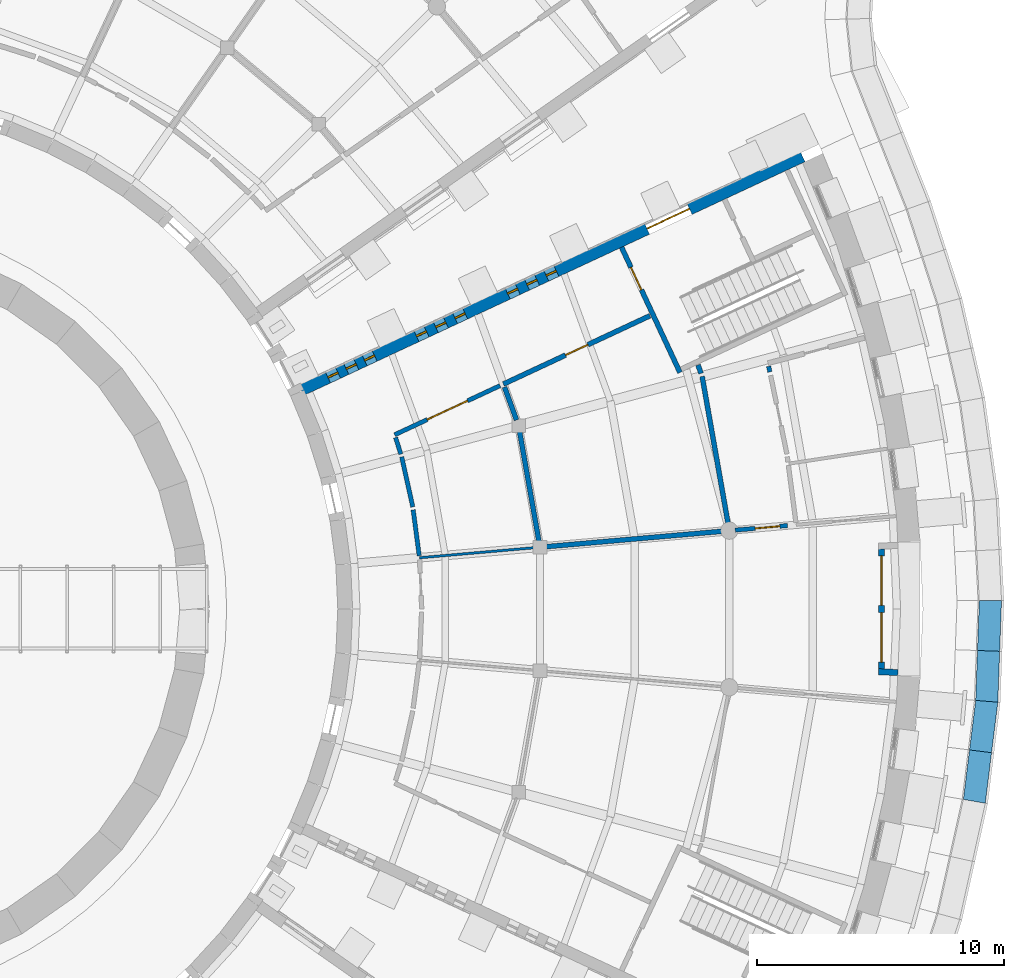
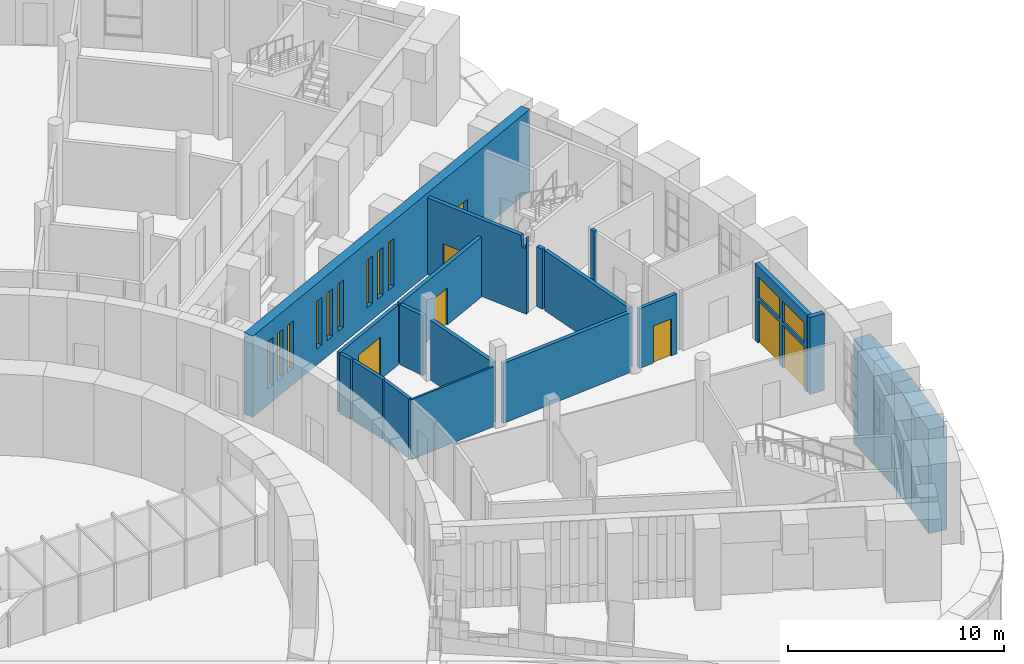
# One storey, part 54 of 85: 21 walls, 11 windows, 7 doors, 18 openings.
"""IFC4 building model written with IfcOpenShell, lengths in metres."""

from ifc_helpers import new_model, si_unit, direction, frame, frame_2d, origin, place, context, subcontext, project, spatial, polyline, rectangle, outline, extrude, material, layer, layer_set, type_object, element, fill, save


model = new_model("IFC4")

# Units and contexts
model_context = context("Model", 3, precision=1e-05, world=origin(), true_north=direction((0.0, 1.0)))
body_context = subcontext(model_context, "Body", "Model", "MODEL_VIEW")
ifc_project = project(units=[si_unit("LENGTHUNIT", "METRE"), si_unit("AREAUNIT", "SQUARE_METRE"), si_unit("VOLUMEUNIT", "CUBIC_METRE"), si_unit("PLANEANGLEUNIT", "RADIAN"), si_unit("MASSUNIT", "GRAM", prefix="KILO")], contexts=[model_context])

# Site, building, storey
site_placement = place(None, origin())
site = spatial("IfcSite", under=ifc_project, at=site_placement, CompositionType="ELEMENT")
building_placement = place(site_placement, origin())
building = spatial("IfcBuilding", under=site, at=building_placement, Name="Volute Hill Aquarium", CompositionType="ELEMENT")
storey_placement = place(building_placement, origin())
storey = spatial("IfcBuildingStorey", under=building, at=storey_placement, Name="L01", CompositionType="ELEMENT", Elevation=0.0)

# Wall, opening, door
ifc_material_1 = material(Name="Concrete C30/37", Category="concrete")
ifc_layer_1 = layer(ifc_material_1, 0.199951171875)
ifc_layer_set_1 = layer_set([ifc_layer_1], Name="Core wall 200 REI 60")
wall_type_1 = type_object("IfcWallType", Name="Core wall 200 REI 60", PredefinedType="SHEAR", material=ifc_layer_set_1)
wall_1_placement = place(storey_placement, frame((31.89599609375, 14.652587890625, 0.0), z_axis=(0.0, 0.0, 1.0), x_axis=(0.422632457081, -0.906301167505, 0.0)))
wall_1 = element("IfcWall", 1, at=wall_1_placement, inside=storey, type_object=wall_type_1, Name="wc/S4-B/L01/in", PredefinedType="SHEAR", context=body_context, shape_type="SweptSolid", body=[
    extrude(outline(polyline([(0.0, 0.0), (5.599853515625, 0.0), (5.60009765625, 4.35009765625), (5.550048828125, 3.7099609375), (5.35009765625, 3.7099609375), (5.300048828125, 4.35009765625), (0.0, 4.35009765625), (0.0, 0.0)])), frame((0.0, 0.10009765625, 0.0), z_axis=(0.0, -1.0, 0.0), x_axis=(1.0, 0.0, 0.0)), (0.0, 0.0, 1.0), 0.199951171875),
])
opening_1_placement = place(wall_1_placement, frame((0.89990234375, 0.0, 0.0)))
opening_1 = element("IfcOpeningElement", 2, at=opening_1_placement, cuts=wall_1, Name="Opening D4.01.BS", PredefinedType="OPENING", context=body_context, shape_type="SweptSolid", body=[
    extrude(rectangle(XDim=1.0, YDim=2.10009765625, at=frame_2d((0.5, 1.050048828125))), frame((0.0, 0.10986328125, 0.0), z_axis=(0.0, -1.0, 0.0), x_axis=(1.0, 0.0, 0.0)), (0.0, 0.0, 1.0), 0.219970703125),
])
ifc_material_2 = material(Name="Timber, fire-rated", Category="wood")
door_type_1 = type_object("IfcDoorType", Name="Door 1000 x 2100 single EI1 30", OperationType="SINGLE_SWING_LEFT", PredefinedType="DOOR", material=ifc_material_2)
door_1_placement = place(opening_1_placement, origin())
door_1 = element("IfcDoor", 3, at=door_1_placement, inside=storey, type_object=door_type_1, Name="d/S4-B/L01/st", OperationType="SINGLE_SWING_RIGHT", OverallHeight=2.10009765625, OverallWidth=1.0, PredefinedType="DOOR", context=body_context, shape_type="SweptSolid", body=[
    extrude(rectangle(XDim=1.0, YDim=2.10009765625, at=frame_2d((0.5, 1.050048828125))), frame((0.0, 0.02490234375, 0.0), z_axis=(0.0, -1.0, 0.0), x_axis=(1.0, 0.0, 0.0)), (0.0, 0.0, 1.0), 0.050048828125),
])
fill(opening_1, door_1)

ifc_material_3 = material(Name="Gypsum board on steel studs", Category="steel")
ifc_layer_2 = layer(ifc_material_3, 0.175048828125)
ifc_layer_set_2 = layer_set([ifc_layer_2], Name="Corridor partition 175 EI 60")
wall_type_2 = type_object("IfcWallType", Name="Corridor partition 175 EI 60", PredefinedType="PARTITIONING", material=ifc_layer_set_2)
wall_2_placement = place(storey_placement, frame((26.9736328125, 9.04736328125, 0.0), z_axis=(0.0, 0.0, 1.0), x_axis=(-0.906308936169, -0.422615797409, 0.0)))
wall_2 = element("IfcWall", 4, at=wall_2_placement, inside=storey, type_object=wall_type_2, Name="pw/S4/L01/008", PredefinedType="PARTITIONING", context=body_context, shape_type="SweptSolid", body=[
    extrude(rectangle(XDim=4.708740234375, YDim=0.175048828125, at=frame_2d((2.3544921875, 0.0))), origin(), (0.0, 0.0, 1.0), 3.389892578125),
])
opening_2_placement = place(wall_2_placement, frame((1.454345703125, 0.0, 0.0)))
opening_2 = element("IfcOpeningElement", 5, at=opening_2_placement, cuts=wall_2, Name="Opening D4.01.04", PredefinedType="OPENING", context=body_context, shape_type="SweptSolid", body=[
    extrude(rectangle(XDim=1.800048828125, YDim=2.39990234375, at=frame_2d((0.89990234375, 1.199951171875))), frame((0.0, 0.097412109375, 0.0), z_axis=(0.0, -1.0, 0.0), x_axis=(1.0, 0.0, 0.0)), (0.0, 0.0, 1.0), 0.195068359375),
])
ifc_material_4 = material(Name="Timber, fire-rated", Category="wood")
door_type_2 = type_object("IfcDoorType", Name="Door 1800 x 2400 gallery double EI1 30", OperationType="DOUBLE_DOOR_SINGLE_SWING", PredefinedType="DOOR", material=ifc_material_4)
door_2_placement = place(opening_2_placement, origin())
door_2 = element("IfcDoor", 6, at=door_2_placement, inside=storey, type_object=door_type_2, Name="d/S4/L01/04", OperationType="SINGLE_SWING_LEFT", OverallHeight=2.39990234375, OverallWidth=1.800048828125, PredefinedType="DOOR", context=body_context, shape_type="SweptSolid", body=[
    extrude(rectangle(XDim=1.800048828125, YDim=2.39990234375, at=frame_2d((0.89990234375, 1.199951171875))), frame((0.0, 0.02490234375, 0.0), z_axis=(0.0, -1.0, 0.0), x_axis=(1.0, 0.0, 0.0)), (0.0, 0.0, 1.0), 0.050048828125),
])
fill(opening_2, door_2)

wall_3_placement = place(storey_placement, frame((36.50048828125, 3.193359375, 0.0), z_axis=(0.0, 0.0, 1.0), x_axis=(0.996191351034, 0.087193991338, 0.0)))
wall_3 = element("IfcWall", 7, at=wall_3_placement, inside=storey, type_object=wall_type_2, Name="pw/S4/L01/020", PredefinedType="PARTITIONING", context=body_context, shape_type="SweptSolid", body=[
    extrude(rectangle(XDim=2.1279296875, YDim=0.175048828125, at=frame_2d((1.06396484375, 0.0))), origin(), (0.0, 0.0, 1.0), 3.389892578125),
])
opening_3_placement = place(wall_3_placement, frame((0.81396484375, 0.0, 0.0)))
opening_3 = element("IfcOpeningElement", 8, at=opening_3_placement, cuts=wall_3, Name="Opening D4.01.07", PredefinedType="OPENING", context=body_context, shape_type="SweptSolid", body=[
    extrude(rectangle(XDim=1.0, YDim=2.10009765625, at=frame_2d((0.5, 1.050048828125))), frame((0.0, 0.097412109375, 0.0), z_axis=(0.0, -1.0, 0.0), x_axis=(1.0, 0.0, 0.0)), (0.0, 0.0, 1.0), 0.195068359375),
])
door_3_placement = place(opening_3_placement, origin())
door_3 = element("IfcDoor", 9, at=door_3_placement, inside=storey, type_object=door_type_1, Name="d/S4/L01/07", OperationType="SINGLE_SWING_LEFT", OverallHeight=2.10009765625, OverallWidth=1.0, PredefinedType="DOOR", context=body_context, shape_type="SweptSolid", body=[
    extrude(rectangle(XDim=1.0, YDim=2.10009765625, at=frame_2d((0.5, 1.050048828125))), frame((0.0, 0.02490234375, 0.0), z_axis=(0.0, -1.0, 0.0), x_axis=(1.0, 0.0, 0.0)), (0.0, 0.0, 1.0), 0.050048828125),
])
fill(opening_3, door_3)

# Walls
wall_4_placement = place(storey_placement, frame((22.989013671875, 6.159912109375, 0.0), z_axis=(0.0, 0.0, 1.0), x_axis=(0.216469786072, -0.97628931763, 0.0)))
element("IfcWall", 10, at=wall_4_placement, inside=storey, type_object=wall_type_2, Name="pw/S4/L01/021", PredefinedType="PARTITIONING", context=body_context, shape_type="SweptSolid", body=[
    extrude(rectangle(XDim=2.076416015625, YDim=0.175048828125, at=frame_2d((1.0380859375, 0.0))), origin(), (0.0, 0.0, 1.0), 3.389892578125),
])
wall_5_placement = place(storey_placement, frame((23.45361328125, 4.016357421875, 0.0), z_axis=(0.0, 0.0, 1.0), x_axis=(0.130588961803, -0.99143659558, 0.0)))
element("IfcWall", 11, at=wall_5_placement, inside=storey, type_object=wall_type_2, Name="pw/S4/L01/025", PredefinedType="PARTITIONING", context=body_context, shape_type="SweptSolid", body=[
    extrude(rectangle(XDim=1.87890625, YDim=0.175048828125, at=frame_2d((0.939453125, 0.0))), origin(), (0.0, 0.0, 1.0), 3.389892578125),
])
wall_6_placement = place(storey_placement, frame((22.741455078125, 6.9453125, 0.0), z_axis=(0.0, 0.0, 1.0), x_axis=(0.300518931654, -0.953775849829, 0.0)))
element("IfcWall", 12, at=wall_6_placement, inside=storey, type_object=wall_type_2, Name="pw/S4/L01/029", PredefinedType="PARTITIONING", context=body_context, shape_type="SweptSolid", body=[
    extrude(rectangle(XDim=0.7060546875, YDim=0.175048828125, at=frame_2d((0.35302734375, 0.0))), origin(), (0.0, 0.0, 1.0), 3.389892578125),
])
wall_7_placement = place(storey_placement, frame((37.852294921875, 9.8310546875, 0.0), z_axis=(0.0, 0.0, 1.0), x_axis=(0.215936265347, -0.976407460699, 0.0)))
element("IfcWall", 13, at=wall_7_placement, inside=storey, type_object=wall_type_2, Name="pw/S4/L01/031", PredefinedType="PARTITIONING", context=body_context, shape_type="SweptSolid", body=[
    extrude(rectangle(XDim=0.234130859375, YDim=0.175048828125, at=frame_2d((0.1171875, 0.0))), origin(), (0.0, 0.0, 1.0), 3.389892578125),
])

# Wall, openings, door, windows
ifc_material_5 = material(Name="Concrete C35/45", Category="concrete")
ifc_layer_3 = layer(ifc_material_5, 0.5)
ifc_layer_set_3 = layer_set([ifc_layer_3], Name="End wall 500 C35/45")
wall_type_3 = type_object("IfcWallType", Name="End wall 500 C35/45", PredefinedType="SHEAR", material=ifc_layer_set_3)
wall_8_placement = place(storey_placement, frame((18.920654296875, 8.8779296875, 0.0), z_axis=(0.0, 0.0, 1.0), x_axis=(0.906305061028, 0.422624107637, 0.0)))
wall_8 = element("IfcWall", 14, at=wall_8_placement, inside=storey, type_object=wall_type_3, Name="sw/S4/L01/endB", PredefinedType="SHEAR", context=body_context, shape_type="SweptSolid", body=[
    extrude(rectangle(XDim=22.400146484375, YDim=0.5, at=frame_2d((11.2001953125, 0.0))), origin(), (0.0, 0.0, 1.0), 4.60009765625),
])
opening_4_placement = place(wall_8_placement, frame((1.190185546875, 0.0, 0.89990234375)))
opening_4 = element("IfcOpeningElement", 15, at=opening_4_placement, cuts=wall_8, Name="Opening W12", PredefinedType="OPENING", context=body_context, shape_type="SweptSolid", body=[
    extrude(rectangle(XDim=0.449951171875, YDim=2.699951171875, at=frame_2d((0.22509765625, 1.35009765625))), frame((0.0, 0.260009765625, 0.0), z_axis=(0.0, -1.0, 0.0), x_axis=(1.0, 0.0, 0.0)), (0.0, 0.0, 1.0), 0.52001953125),
])
opening_5_placement = place(wall_8_placement, frame((2.008056640625, 0.0, 0.89990234375)))
opening_5 = element("IfcOpeningElement", 16, at=opening_5_placement, cuts=wall_8, Name="Opening W12", PredefinedType="OPENING", context=body_context, shape_type="SweptSolid", body=[
    extrude(rectangle(XDim=0.449951171875, YDim=2.699951171875, at=frame_2d((0.22509765625, 1.35009765625))), frame((0.0, 0.260009765625, 0.0), z_axis=(0.0, -1.0, 0.0), x_axis=(1.0, 0.0, 0.0)), (0.0, 0.0, 1.0), 0.52001953125),
])
opening_6_placement = place(wall_8_placement, frame((2.82568359375, 0.0, 0.89990234375)))
opening_6 = element("IfcOpeningElement", 17, at=opening_6_placement, cuts=wall_8, Name="Opening W12", PredefinedType="OPENING", context=body_context, shape_type="SweptSolid", body=[
    extrude(rectangle(XDim=0.449951171875, YDim=2.699951171875, at=frame_2d((0.22509765625, 1.35009765625))), frame((0.0, 0.260009765625, 0.0), z_axis=(0.0, -1.0, 0.0), x_axis=(1.0, 0.0, 0.0)), (0.0, 0.0, 1.0), 0.52001953125),
])
opening_7_placement = place(wall_8_placement, frame((5.146240234375, 0.0, 0.89990234375)))
opening_7 = element("IfcOpeningElement", 18, at=opening_7_placement, cuts=wall_8, Name="Opening W12", PredefinedType="OPENING", context=body_context, shape_type="SweptSolid", body=[
    extrude(rectangle(XDim=0.449951171875, YDim=2.699951171875, at=frame_2d((0.22509765625, 1.35009765625))), frame((0.0, 0.260009765625, 0.0), z_axis=(0.0, -1.0, 0.0), x_axis=(1.0, 0.0, 0.0)), (0.0, 0.0, 1.0), 0.52001953125),
])
opening_8_placement = place(wall_8_placement, frame((6.009033203125, 0.0, 0.89990234375)))
opening_8 = element("IfcOpeningElement", 19, at=opening_8_placement, cuts=wall_8, Name="Opening W12", PredefinedType="OPENING", context=body_context, shape_type="SweptSolid", body=[
    extrude(rectangle(XDim=0.449951171875, YDim=2.699951171875, at=frame_2d((0.22509765625, 1.35009765625))), frame((0.0, 0.260009765625, 0.0), z_axis=(0.0, -1.0, 0.0), x_axis=(1.0, 0.0, 0.0)), (0.0, 0.0, 1.0), 0.52001953125),
])
opening_9_placement = place(wall_8_placement, frame((6.871826171875, 0.0, 0.89990234375)))
opening_9 = element("IfcOpeningElement", 20, at=opening_9_placement, cuts=wall_8, Name="Opening W12", PredefinedType="OPENING", context=body_context, shape_type="SweptSolid", body=[
    extrude(rectangle(XDim=0.449951171875, YDim=2.699951171875, at=frame_2d((0.22509765625, 1.35009765625))), frame((0.0, 0.260009765625, 0.0), z_axis=(0.0, -1.0, 0.0), x_axis=(1.0, 0.0, 0.0)), (0.0, 0.0, 1.0), 0.52001953125),
])
opening_10_placement = place(wall_8_placement, frame((9.22216796875, 0.0, 0.89990234375)))
opening_10 = element("IfcOpeningElement", 21, at=opening_10_placement, cuts=wall_8, Name="Opening W12", PredefinedType="OPENING", context=body_context, shape_type="SweptSolid", body=[
    extrude(rectangle(XDim=0.449951171875, YDim=2.699951171875, at=frame_2d((0.22509765625, 1.35009765625))), frame((0.0, 0.260009765625, 0.0), z_axis=(0.0, -1.0, 0.0), x_axis=(1.0, 0.0, 0.0)), (0.0, 0.0, 1.0), 0.52001953125),
])
opening_11_placement = place(wall_8_placement, frame((10.0849609375, 0.0, 0.89990234375)))
opening_11 = element("IfcOpeningElement", 22, at=opening_11_placement, cuts=wall_8, Name="Opening W12", PredefinedType="OPENING", context=body_context, shape_type="SweptSolid", body=[
    extrude(rectangle(XDim=0.449951171875, YDim=2.699951171875, at=frame_2d((0.22509765625, 1.35009765625))), frame((0.0, 0.260009765625, 0.0), z_axis=(0.0, -1.0, 0.0), x_axis=(1.0, 0.0, 0.0)), (0.0, 0.0, 1.0), 0.52001953125),
])
opening_12_placement = place(wall_8_placement, frame((10.94775390625, 0.0, 0.89990234375)))
opening_12 = element("IfcOpeningElement", 23, at=opening_12_placement, cuts=wall_8, Name="Opening W12", PredefinedType="OPENING", context=body_context, shape_type="SweptSolid", body=[
    extrude(rectangle(XDim=0.449951171875, YDim=2.699951171875, at=frame_2d((0.22509765625, 1.35009765625))), frame((0.0, 0.260009765625, 0.0), z_axis=(0.0, -1.0, 0.0), x_axis=(1.0, 0.0, 0.0)), (0.0, 0.0, 1.0), 0.52001953125),
])
opening_13_placement = place(wall_8_placement, frame((15.449951171875, 0.0, 0.0)))
opening_13 = element("IfcOpeningElement", 24, at=opening_13_placement, cuts=wall_8, Name="Opening D4.01.BX", PredefinedType="OPENING", context=body_context, shape_type="SweptSolid", body=[
    extrude(rectangle(XDim=1.89990234375, YDim=2.39990234375, at=frame_2d((0.949951171875, 1.199951171875))), frame((0.0, 0.260009765625, 0.0), z_axis=(0.0, -1.0, 0.0), x_axis=(1.0, 0.0, 0.0)), (0.0, 0.0, 1.0), 0.52001953125),
])
ifc_material_6 = material(Name="Steel, fire-rated", Category="steel")
door_type_3 = type_object("IfcDoorType", Name="Door 1900 x 2400 stair exit double EI1 30", OperationType="DOUBLE_DOOR_SINGLE_SWING", PredefinedType="DOOR", material=ifc_material_6)
door_4_placement = place(opening_13_placement, origin())
door_4 = element("IfcDoor", 25, at=door_4_placement, inside=storey, type_object=door_type_3, Name="d/S4-B/L01/ex", OperationType="SINGLE_SWING_LEFT", OverallHeight=2.39990234375, OverallWidth=1.89990234375, PredefinedType="DOOR", context=body_context, shape_type="SweptSolid", body=[
    extrude(rectangle(XDim=1.89990234375, YDim=2.39990234375, at=frame_2d((0.949951171875, 1.199951171875))), frame((0.0, 0.02490234375, 0.0), z_axis=(0.0, -1.0, 0.0), x_axis=(1.0, 0.0, 0.0)), (0.0, 0.0, 1.0), 0.050048828125),
])
fill(opening_13, door_4)
ifc_material_7 = material(Name="Aluminium and glass", Category="aluminium")
window_type_1 = type_object("IfcWindowType", Name="End wall window 450x2700", PartitioningType="SINGLE_PANEL", PredefinedType="WINDOW", material=ifc_material_7)
window_1_placement = place(opening_4_placement, origin())
window_1 = element("IfcWindow", 26, at=window_1_placement, inside=storey, type_object=window_type_1, Name="End wall window S4B L01 1.1", OverallHeight=2.699951171875, OverallWidth=0.449951171875, PartitioningType="SINGLE_PANEL", PredefinedType="WINDOW", context=body_context, shape_type="SweptSolid", body=[
    extrude(rectangle(XDim=0.449951171875, YDim=2.699951171875, at=frame_2d((0.22509765625, 1.35009765625))), frame((0.0, 0.030029296875, 0.0), z_axis=(0.0, -1.0, 0.0), x_axis=(1.0, 0.0, 0.0)), (0.0, 0.0, 1.0), 0.06005859375),
])
fill(opening_4, window_1)
window_2_placement = place(opening_5_placement, origin())
window_2 = element("IfcWindow", 27, at=window_2_placement, inside=storey, type_object=window_type_1, Name="End wall window S4B L01 1.2", OverallHeight=2.699951171875, OverallWidth=0.449951171875, PartitioningType="SINGLE_PANEL", PredefinedType="WINDOW", context=body_context, shape_type="SweptSolid", body=[
    extrude(rectangle(XDim=0.449951171875, YDim=2.699951171875, at=frame_2d((0.22509765625, 1.35009765625))), frame((0.0, 0.030029296875, 0.0), z_axis=(0.0, -1.0, 0.0), x_axis=(1.0, 0.0, 0.0)), (0.0, 0.0, 1.0), 0.06005859375),
])
fill(opening_5, window_2)
window_3_placement = place(opening_6_placement, origin())
window_3 = element("IfcWindow", 28, at=window_3_placement, inside=storey, type_object=window_type_1, Name="End wall window S4B L01 1.3", OverallHeight=2.699951171875, OverallWidth=0.449951171875, PartitioningType="SINGLE_PANEL", PredefinedType="WINDOW", context=body_context, shape_type="SweptSolid", body=[
    extrude(rectangle(XDim=0.449951171875, YDim=2.699951171875, at=frame_2d((0.22509765625, 1.35009765625))), frame((0.0, 0.030029296875, 0.0), z_axis=(0.0, -1.0, 0.0), x_axis=(1.0, 0.0, 0.0)), (0.0, 0.0, 1.0), 0.06005859375),
])
fill(opening_6, window_3)
window_4_placement = place(opening_7_placement, origin())
window_4 = element("IfcWindow", 29, at=window_4_placement, inside=storey, type_object=window_type_1, Name="End wall window S4B L01 2.1", OverallHeight=2.699951171875, OverallWidth=0.449951171875, PartitioningType="SINGLE_PANEL", PredefinedType="WINDOW", context=body_context, shape_type="SweptSolid", body=[
    extrude(rectangle(XDim=0.449951171875, YDim=2.699951171875, at=frame_2d((0.22509765625, 1.35009765625))), frame((0.0, 0.030029296875, 0.0), z_axis=(0.0, -1.0, 0.0), x_axis=(1.0, 0.0, 0.0)), (0.0, 0.0, 1.0), 0.06005859375),
])
fill(opening_7, window_4)
window_5_placement = place(opening_8_placement, origin())
window_5 = element("IfcWindow", 30, at=window_5_placement, inside=storey, type_object=window_type_1, Name="End wall window S4B L01 2.2", OverallHeight=2.699951171875, OverallWidth=0.449951171875, PartitioningType="SINGLE_PANEL", PredefinedType="WINDOW", context=body_context, shape_type="SweptSolid", body=[
    extrude(rectangle(XDim=0.449951171875, YDim=2.699951171875, at=frame_2d((0.22509765625, 1.35009765625))), frame((0.0, 0.030029296875, 0.0), z_axis=(0.0, -1.0, 0.0), x_axis=(1.0, 0.0, 0.0)), (0.0, 0.0, 1.0), 0.06005859375),
])
fill(opening_8, window_5)
window_6_placement = place(opening_9_placement, origin())
window_6 = element("IfcWindow", 31, at=window_6_placement, inside=storey, type_object=window_type_1, Name="End wall window S4B L01 2.3", OverallHeight=2.699951171875, OverallWidth=0.449951171875, PartitioningType="SINGLE_PANEL", PredefinedType="WINDOW", context=body_context, shape_type="SweptSolid", body=[
    extrude(rectangle(XDim=0.449951171875, YDim=2.699951171875, at=frame_2d((0.22509765625, 1.35009765625))), frame((0.0, 0.030029296875, 0.0), z_axis=(0.0, -1.0, 0.0), x_axis=(1.0, 0.0, 0.0)), (0.0, 0.0, 1.0), 0.06005859375),
])
fill(opening_9, window_6)
window_7_placement = place(opening_10_placement, origin())
window_7 = element("IfcWindow", 32, at=window_7_placement, inside=storey, type_object=window_type_1, Name="End wall window S4B L01 3.1", OverallHeight=2.699951171875, OverallWidth=0.449951171875, PartitioningType="SINGLE_PANEL", PredefinedType="WINDOW", context=body_context, shape_type="SweptSolid", body=[
    extrude(rectangle(XDim=0.449951171875, YDim=2.699951171875, at=frame_2d((0.22509765625, 1.35009765625))), frame((0.0, 0.030029296875, 0.0), z_axis=(0.0, -1.0, 0.0), x_axis=(1.0, 0.0, 0.0)), (0.0, 0.0, 1.0), 0.06005859375),
])
fill(opening_10, window_7)
window_8_placement = place(opening_11_placement, origin())
window_8 = element("IfcWindow", 33, at=window_8_placement, inside=storey, type_object=window_type_1, Name="End wall window S4B L01 3.2", OverallHeight=2.699951171875, OverallWidth=0.449951171875, PartitioningType="SINGLE_PANEL", PredefinedType="WINDOW", context=body_context, shape_type="SweptSolid", body=[
    extrude(rectangle(XDim=0.449951171875, YDim=2.699951171875, at=frame_2d((0.22509765625, 1.35009765625))), frame((0.0, 0.030029296875, 0.0), z_axis=(0.0, -1.0, 0.0), x_axis=(1.0, 0.0, 0.0)), (0.0, 0.0, 1.0), 0.06005859375),
])
fill(opening_11, window_8)
window_9_placement = place(opening_12_placement, origin())
window_9 = element("IfcWindow", 34, at=window_9_placement, inside=storey, type_object=window_type_1, Name="End wall window S4B L01 3.3", OverallHeight=2.699951171875, OverallWidth=0.449951171875, PartitioningType="SINGLE_PANEL", PredefinedType="WINDOW", context=body_context, shape_type="SweptSolid", body=[
    extrude(rectangle(XDim=0.449951171875, YDim=2.699951171875, at=frame_2d((0.22509765625, 1.35009765625))), frame((0.0, 0.030029296875, 0.0), z_axis=(0.0, -1.0, 0.0), x_axis=(1.0, 0.0, 0.0)), (0.0, 0.0, 1.0), 0.06005859375),
])
fill(opening_12, window_9)

# Wall
ifc_material_8 = material(Name="Masonry blockwork", Category="masonry")
ifc_layer_4 = layer(ifc_material_8, 0.199951171875)
ifc_layer_set_4 = layer_set([ifc_layer_4], Name="Fire partition 200 EI 60")
wall_type_4 = type_object("IfcWallType", Name="Fire partition 200 EI 60", PredefinedType="PARTITIONING", material=ifc_layer_set_4)
wall_9_placement = place(storey_placement, frame((36.0224609375, 3.151611328125, 0.0), z_axis=(0.0, 0.0, 1.0), x_axis=(-0.996193240342, -0.087172403299, 0.0)))
element("IfcWall", 35, at=wall_9_placement, inside=storey, type_object=wall_type_4, Name="pw/S4/L01/002", PredefinedType="PARTITIONING", context=body_context, shape_type="SweptSolid", body=[
    extrude(rectangle(XDim=7.22021484375, YDim=0.199951171875, at=frame_2d((3.610107421875, 0.0))), origin(), (0.0, 0.0, 1.0), 3.389892578125),
])

# Wall, opening, door
wall_10_placement = place(storey_placement, frame((33.0458984375, 11.87890625, 0.0), z_axis=(0.0, 0.0, 1.0), x_axis=(-0.906297375057, -0.422640589585, 0.0)))
wall_10 = element("IfcWall", 36, at=wall_10_placement, inside=storey, type_object=wall_type_4, Name="pw/S4/L01/003", PredefinedType="PARTITIONING", context=body_context, shape_type="SweptSolid", body=[
    extrude(rectangle(XDim=6.550048828125, YDim=0.199951171875, at=frame_2d((3.27490234375, 0.0))), origin(), (0.0, 0.0, 1.0), 3.389892578125),
])
opening_14_placement = place(wall_10_placement, frame((2.77490234375, 0.0, 0.0)))
opening_14 = element("IfcOpeningElement", 37, at=opening_14_placement, cuts=wall_10, Name="Opening D4.01.05", PredefinedType="OPENING", context=body_context, shape_type="SweptSolid", body=[
    extrude(rectangle(XDim=1.0, YDim=2.10009765625, at=frame_2d((0.5, 1.050048828125))), frame((0.0, 0.10986328125, 0.0), z_axis=(0.0, -1.0, 0.0), x_axis=(1.0, 0.0, 0.0)), (0.0, 0.0, 1.0), 0.219970703125),
])
door_5_placement = place(opening_14_placement, origin())
door_5 = element("IfcDoor", 38, at=door_5_placement, inside=storey, type_object=door_type_1, Name="d/S4/L01/05", OperationType="SINGLE_SWING_LEFT", OverallHeight=2.10009765625, OverallWidth=1.0, PredefinedType="DOOR", context=body_context, shape_type="SweptSolid", body=[
    extrude(rectangle(XDim=1.0, YDim=2.10009765625, at=frame_2d((0.5, 1.050048828125))), frame((0.0, 0.02490234375, 0.0), z_axis=(0.0, -1.0, 0.0), x_axis=(1.0, 0.0, 0.0)), (0.0, 0.0, 1.0), 0.050048828125),
])
fill(opening_14, door_5)

# Walls
wall_11_placement = place(storey_placement, frame((35.15966796875, 9.4208984375, 0.0), z_axis=(0.0, 0.0, 1.0), x_axis=(0.173678110418, -0.984802474592, 0.0)))
element("IfcWall", 39, at=wall_11_placement, inside=storey, type_object=wall_type_4, Name="pw/S4/L01/007", PredefinedType="PARTITIONING", context=body_context, shape_type="SweptSolid", body=[
    extrude(rectangle(XDim=6.10498046875, YDim=0.199951171875, at=frame_2d((3.052490234375, 0.0))), origin(), (0.0, 0.0, 1.0), 3.389892578125),
])
wall_12_placement = place(storey_placement, frame((27.763671875, 7.19189453125, 0.0), z_axis=(0.0, 0.0, 1.0), x_axis=(0.173696036677, -0.984799312978, 0.0)))
element("IfcWall", 40, at=wall_12_placement, inside=storey, type_object=wall_type_4, Name="pw/S4/L01/013", PredefinedType="PARTITIONING", context=body_context, shape_type="SweptSolid", body=[
    extrude(rectangle(XDim=4.523193359375, YDim=0.199951171875, at=frame_2d((2.26171875, 0.0))), origin(), (0.0, 0.0, 1.0), 3.389892578125),
])
wall_13_placement = place(storey_placement, frame((27.154296875, 8.98828125, 0.0), z_axis=(0.0, 0.0, 1.0), x_axis=(0.341991425514, -0.939703072718, 0.0)))
element("IfcWall", 41, at=wall_13_placement, inside=storey, type_object=wall_type_4, Name="pw/S4/L01/028", PredefinedType="PARTITIONING", context=body_context, shape_type="SweptSolid", body=[
    extrude(rectangle(XDim=1.420654296875, YDim=0.199951171875, at=frame_2d((0.71044921875, 0.0))), origin(), (0.0, 0.0, 1.0), 3.389892578125),
])
wall_14_placement = place(storey_placement, frame((34.9912109375, 9.884033203125, 0.0), z_axis=(0.0, 0.0, 1.0), x_axis=(0.341959247603, -0.939714782782, 0.0)))
element("IfcWall", 42, at=wall_14_placement, inside=storey, type_object=wall_type_4, Name="pw/S4/L01/032", PredefinedType="PARTITIONING", context=body_context, shape_type="SweptSolid", body=[
    extrude(rectangle(XDim=0.36279296875, YDim=0.199951171875, at=frame_2d((0.181396484375, 0.0))), origin(), (0.0, 0.0, 1.0), 3.389892578125),
])

# Wall, openings, windows, doors
ifc_material_9 = material(Name="Concrete C30/37", Category="concrete")
ifc_layer_5 = layer(ifc_material_9, 0.25)
ifc_layer_set_5 = layer_set([ifc_layer_5], Name="Glazed entrance wall 250")
wall_type_5 = type_object("IfcWallType", Name="Glazed entrance wall 250", PredefinedType="NOTDEFINED", material=ifc_layer_set_5)
wall_15_placement = place(storey_placement, frame((42.42724609375, 2.421630859375, 0.0), z_axis=(0.0, 0.0, 1.0), x_axis=(0.0, -1.0, 0.0)))
wall_15 = element("IfcWall", 43, at=wall_15_placement, inside=storey, type_object=wall_type_5, Name="Glazed entrance wall OWN S4 L01", PredefinedType="NOTDEFINED", context=body_context, shape_type="SweptSolid", body=[
    extrude(rectangle(XDim=4.84326171875, YDim=0.25, at=frame_2d((2.421630859375, 0.0))), origin(), (0.0, 0.0, 1.0), 4.360107421875),
])
opening_15_placement = place(wall_15_placement, frame((2.57177734375, 0.0, 0.0)))
opening_15 = element("IfcOpeningElement", 44, at=opening_15_placement, cuts=wall_15, Name="Opening ED05", PredefinedType="OPENING", context=body_context, shape_type="SweptSolid", body=[
    extrude(rectangle(XDim=2.0, YDim=2.39990234375, at=frame_2d((1.0, 1.199951171875))), frame((0.0, 0.135009765625, 0.0), z_axis=(0.0, -1.0, 0.0), x_axis=(1.0, 0.0, 0.0)), (0.0, 0.0, 1.0), 0.27001953125),
])
opening_16_placement = place(wall_15_placement, frame((2.57177734375, 0.0, 2.60009765625)))
opening_16 = element("IfcOpeningElement", 45, at=opening_16_placement, cuts=wall_15, Name="Opening W7", PredefinedType="OPENING", context=body_context, shape_type="SweptSolid", body=[
    extrude(rectangle(XDim=2.0, YDim=1.159912109375, at=frame_2d((1.0, 0.580078125))), frame((0.0, 0.135009765625, 0.0), z_axis=(0.0, -1.0, 0.0), x_axis=(1.0, 0.0, 0.0)), (0.0, 0.0, 1.0), 0.27001953125),
])
opening_17_placement = place(wall_15_placement, frame((0.271728515625, 0.0, 0.0)))
opening_17 = element("IfcOpeningElement", 46, at=opening_17_placement, cuts=wall_15, Name="Opening ED06", PredefinedType="OPENING", context=body_context, shape_type="SweptSolid", body=[
    extrude(rectangle(XDim=2.0, YDim=2.39990234375, at=frame_2d((1.0, 1.199951171875))), frame((0.0, 0.135009765625, 0.0), z_axis=(0.0, -1.0, 0.0), x_axis=(1.0, 0.0, 0.0)), (0.0, 0.0, 1.0), 0.27001953125),
])
opening_18_placement = place(wall_15_placement, frame((0.271728515625, 0.0, 2.60009765625)))
opening_18 = element("IfcOpeningElement", 47, at=opening_18_placement, cuts=wall_15, Name="Opening W7", PredefinedType="OPENING", context=body_context, shape_type="SweptSolid", body=[
    extrude(rectangle(XDim=2.0, YDim=1.159912109375, at=frame_2d((1.0, 0.580078125))), frame((0.0, 0.135009765625, 0.0), z_axis=(0.0, -1.0, 0.0), x_axis=(1.0, 0.0, 0.0)), (0.0, 0.0, 1.0), 0.27001953125),
])
ifc_material_10 = material(Name="Aluminium and glass", Category="aluminium")
window_type_2 = type_object("IfcWindowType", Name="Fanlight window 2000x1160", PartitioningType="SINGLE_PANEL", PredefinedType="WINDOW", material=ifc_material_10)
window_10_placement = place(opening_16_placement, origin())
window_10 = element("IfcWindow", 48, at=window_10_placement, inside=storey, type_object=window_type_2, Name="Fanlight S4 L01 1", OverallHeight=1.159912109375, OverallWidth=2.0, PartitioningType="SINGLE_PANEL", PredefinedType="WINDOW", context=body_context, shape_type="SweptSolid", body=[
    extrude(rectangle(XDim=2.0, YDim=1.159912109375, at=frame_2d((1.0, 0.580078125))), frame((0.0, 0.030029296875, 0.0), z_axis=(0.0, -1.0, 0.0), x_axis=(1.0, 0.0, 0.0)), (0.0, 0.0, 1.0), 0.06005859375),
])
fill(opening_16, window_10)
window_11_placement = place(opening_18_placement, origin())
window_11 = element("IfcWindow", 49, at=window_11_placement, inside=storey, type_object=window_type_2, Name="Fanlight S4 L01 2", OverallHeight=1.159912109375, OverallWidth=2.0, PartitioningType="SINGLE_PANEL", PredefinedType="WINDOW", context=body_context, shape_type="SweptSolid", body=[
    extrude(rectangle(XDim=2.0, YDim=1.159912109375, at=frame_2d((1.0, 0.580078125))), frame((0.0, 0.030029296875, 0.0), z_axis=(0.0, -1.0, 0.0), x_axis=(1.0, 0.0, 0.0)), (0.0, 0.0, 1.0), 0.06005859375),
])
fill(opening_18, window_11)
ifc_material_11 = material(Name="Aluminium and glass", Category="aluminium")
door_type_4 = type_object("IfcDoorType", Name="Glazed entrance double door 2000x2400", OperationType="DOUBLE_DOOR_SINGLE_SWING", PredefinedType="DOOR", material=ifc_material_11)
door_6_placement = place(opening_15_placement, origin())
door_6 = element("IfcDoor", 50, at=door_6_placement, inside=storey, type_object=door_type_4, Name="External door ED05 S4 L01", OperationType="DOUBLE_DOOR_SINGLE_SWING", OverallHeight=2.39990234375, OverallWidth=2.0, PredefinedType="DOOR", context=body_context, shape_type="SweptSolid", body=[
    extrude(rectangle(XDim=2.0, YDim=2.39990234375, at=frame_2d((1.0, 1.199951171875))), frame((0.0, 0.02490234375, 0.0), z_axis=(0.0, -1.0, 0.0), x_axis=(1.0, 0.0, 0.0)), (0.0, 0.0, 1.0), 0.050048828125),
])
fill(opening_15, door_6)
door_7_placement = place(opening_17_placement, origin())
door_7 = element("IfcDoor", 51, at=door_7_placement, inside=storey, type_object=door_type_4, Name="External door ED06 S4 L01", OperationType="DOUBLE_DOOR_SINGLE_SWING", OverallHeight=2.39990234375, OverallWidth=2.0, PredefinedType="DOOR", context=body_context, shape_type="SweptSolid", body=[
    extrude(rectangle(XDim=2.0, YDim=2.39990234375, at=frame_2d((1.0, 1.199951171875))), frame((0.0, 0.02490234375, 0.0), z_axis=(0.0, -1.0, 0.0), x_axis=(1.0, 0.0, 0.0)), (0.0, 0.0, 1.0), 0.050048828125),
])
fill(opening_17, door_7)

# Walls
ifc_material_12 = material(Name="Gypsum board on steel studs", Category="steel")
ifc_layer_6 = layer(ifc_material_12, 0.10009765625)
ifc_layer_set_6 = layer_set([ifc_layer_6], Name="Light partition 100")
wall_type_6 = type_object("IfcWallType", Name="Light partition 100", PredefinedType="PARTITIONING", material=ifc_layer_set_6)
wall_16_placement = place(storey_placement, frame((28.351806640625, 2.48046875, 0.0), z_axis=(0.0, 0.0, 1.0), x_axis=(-0.996192864458, -0.087176698736, 0.0)))
element("IfcWall", 52, at=wall_16_placement, inside=storey, type_object=wall_type_6, Name="pw/S4/L01/011", PredefinedType="PARTITIONING", context=body_context, shape_type="SweptSolid", body=[
    extrude(rectangle(XDim=4.66015625, YDim=0.10009765625, at=frame_2d((2.330078125, 0.0))), origin(), (0.0, 0.0, 1.0), 3.389892578125),
])
ifc_material_13 = material(Name="Concrete C30/37", Category="concrete")
ifc_layer_7 = layer(ifc_material_13, 0.25)
ifc_layer_set_7 = layer_set([ifc_layer_7], Name="Portal cheek wall 250")
wall_type_7 = type_object("IfcWallType", Name="Portal cheek wall 250", PredefinedType="NOTDEFINED", material=ifc_layer_set_7)
wall_17_placement = place(storey_placement, origin())
element("IfcWall", 53, at=wall_17_placement, inside=storey, type_object=wall_type_7, Name="Portal cheek wall OWN S4 L01 A", PredefinedType="NOTDEFINED", context=body_context, shape_type="SweptSolid", body=[
    extrude(outline(polyline([(43.081787109375, -2.700439453125), (43.092529296875, -2.45068359375), (42.313232421875, -2.416748046875), (42.30224609375, -2.66650390625), (43.081787109375, -2.700439453125)])), origin(), (0.0, 0.0, 1.0), 4.360107421875),
])
ifc_material_14 = material(Name="Concrete C30/37", Category="concrete")
ifc_layer_8 = layer(ifc_material_14, 0.89990234375)
ifc_layer_set_8 = layer_set([ifc_layer_8], Name="Site edge retaining wall C30/37 900")
wall_type_8 = type_object("IfcWallType", Name="Site edge retaining wall C30/37 900", PredefinedType="SOLIDWALL", material=ifc_layer_set_8)
wall_18_placement = place(storey_placement, frame((0.0, 0.0, -6.0)))
element("IfcWall", 54, at=wall_18_placement, inside=storey, type_object=wall_type_8, Name="rw/E47UP/L01/0", PredefinedType="SOLIDWALL", context=body_context, shape_type="SweptSolid", body=[
    extrude(outline(polyline([(46.629638671875, -7.868896484375), (46.884033203125, -5.821533203125), (45.990966796875, -5.710693359375), (45.741943359375, -7.7158203125), (45.741943359375, -7.7158203125), (46.629638671875, -7.868896484375), (46.629638671875, -7.868896484375)])), origin(), (0.0, 0.0, 1.0), 5.89990234375),
])
wall_19_placement = place(storey_placement, frame((0.0, 0.0, -6.0)))
element("IfcWall", 55, at=wall_19_placement, inside=storey, type_object=wall_type_8, Name="rw/E47UP/L01/1", PredefinedType="SOLIDWALL", context=body_context, shape_type="SweptSolid", body=[
    extrude(outline(polyline([(47.13818359375, -3.77587890625), (47.13818359375, -3.77587890625), (46.240234375, -3.7041015625), (45.990966796875, -5.710693359375), (46.884033203125, -5.821533203125), (47.13818359375, -3.77587890625)])), origin(), (0.0, 0.0, 1.0), 5.89990234375),
])
wall_20_placement = place(storey_placement, frame((0.0, 0.0, -6.0)))
element("IfcWall", 56, at=wall_20_placement, inside=storey, type_object=wall_type_8, Name="rw/E48UP/L01/0", PredefinedType="SOLIDWALL", context=body_context, shape_type="SweptSolid", body=[
    extrude(outline(polyline([(47.13818359375, -3.77587890625), (47.212890625, -1.714599609375), (46.3134765625, -1.681884765625), (46.240234375, -3.7041015625), (46.240234375, -3.7041015625), (47.13818359375, -3.77587890625)])), origin(), (0.0, 0.0, 1.0), 5.89990234375),
])
wall_21_placement = place(storey_placement, frame((0.0, 0.0, -6.0)))
element("IfcWall", 57, at=wall_21_placement, inside=storey, type_object=wall_type_8, Name="rw/E48UP/L01/1", PredefinedType="SOLIDWALL", context=body_context, shape_type="SweptSolid", body=[
    extrude(outline(polyline([(47.287841796875, 0.3466796875), (47.287841796875, 0.3466796875), (46.386962890625, 0.340087890625), (46.386962890625, 0.340087890625), (46.3134765625, -1.681884765625), (47.212890625, -1.714599609375), (47.287841796875, 0.3466796875)])), origin(), (0.0, 0.0, 1.0), 5.89990234375),
])

save(model, "model.ifc")
